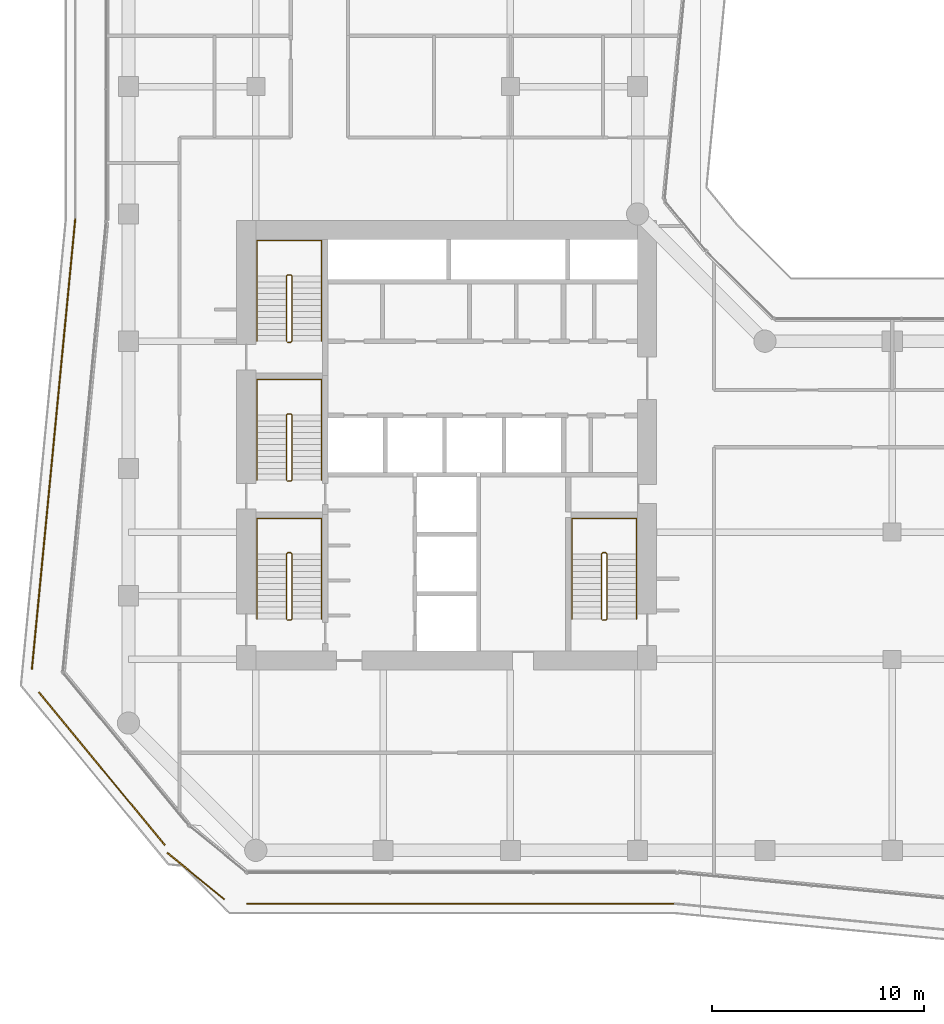
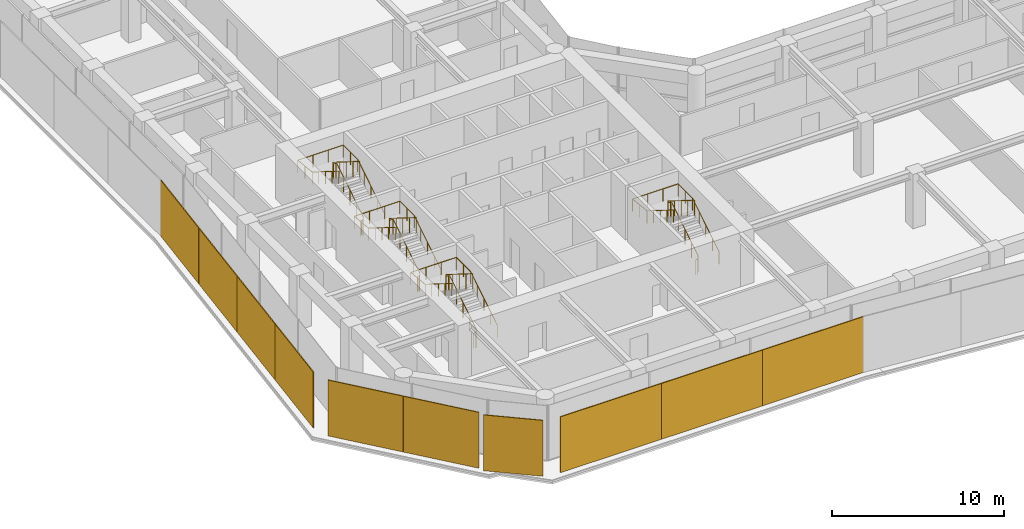
# One storey, part 30 of 31: 10 coverings, 8 railings.
"""IFC4 building model written with IfcOpenShell, lengths in metres."""

from ifc_helpers import new_model, si_unit, direction, frame, origin, origin_2d, place, context, subcontext, project, spatial, rectangle, circle, extrude, material, layer, layer_set, type_object, element, save


model = new_model("IFC4")

# Units and contexts
model_context = context("Model", 3, precision=1e-05, world=origin(), true_north=direction((0.0, 1.0)))
body_context = subcontext(model_context, "Body", "Model", "MODEL_VIEW")
ifc_project = project(units=[si_unit("LENGTHUNIT", "METRE"), si_unit("AREAUNIT", "SQUARE_METRE"), si_unit("VOLUMEUNIT", "CUBIC_METRE"), si_unit("PLANEANGLEUNIT", "RADIAN"), si_unit("MASSUNIT", "GRAM", prefix="KILO")], contexts=[model_context])

# Site, building, storey
site_placement = place(None, origin())
site = spatial("IfcSite", under=ifc_project, at=site_placement, CompositionType="ELEMENT")
building_placement = place(site_placement, origin())
building = spatial("IfcBuilding", under=site, at=building_placement, Name="Welwitschia Terrace Campus", CompositionType="ELEMENT")
storey_placement = place(building_placement, frame((0.0, 0.0, 29.0)))
storey = spatial("IfcBuildingStorey", under=building, at=storey_placement, Name="L06", CompositionType="ELEMENT", Elevation=29.0)

# Coverings
ifc_material_1 = material(Name="Bronze mesh aluminium screen", Category="aluminium")
ifc_layer = layer(ifc_material_1, 0.06005859375)
ifc_layer_set = layer_set([ifc_layer], Name="Bronze mesh aluminium screen")
covering_type = type_object("IfcCoveringType", Name="Bronze screen 60", PredefinedType="USERDEFINED", material=ifc_layer_set)
for number, where, z_axis, x_axis, name in (
    (1, (-2.76513671875, 23.12744140625, 0.0), (0.0, 0.0, 1.0), (-0.09584575252, -0.995396198367, 0.0), "Screen L06.0.0"),
    (2, (-3.277099609375, 17.811279296875, 0.0), (0.0, 0.0, 1.0), (-0.09584575252, -0.995396198367, 0.0), "Screen L06.0.1"),
    (3, (-3.7890625, 12.4951171875, 0.0), (0.0, 0.0, 1.0), (-0.09584575252, -0.995396198367, 0.0), "Screen L06.0.2"),
    (4, (-4.30078125, 7.17919921875, 0.0), (0.0, 0.0, 1.0), (-0.09584575252, -0.995396198367, 0.0), "Screen L06.0.3"),
):
    element("IfcCovering", number, at=place(storey_placement, frame(where, z_axis=z_axis, x_axis=x_axis)), inside=storey, type_object=covering_type, Name=name, ObjectType="SCREEN", PredefinedType="USERDEFINED", context=body_context, shape_type="SweptSolid", body=[
        extrude(rectangle(XDim=5.32080078125, YDim=0.06005859375, at=origin_2d()), origin(), (0.0, 0.0, 1.0), 3.949951171875),
    ])
for number, where, z_axis, x_axis, name in (
    (5, (-2.741943359375, 1.64794921875, 0.0), (0.0, 0.0, 1.0), (0.636078220278, -0.771624583388, 0.0), "Screen L06.1.0"),
    (6, (0.235595703125, -1.9638671875, 0.0), (0.0, 0.0, 1.0), (0.636078220278, -0.771624583388, 0.0), "Screen L06.1.1"),
):
    element("IfcCovering", number, at=place(storey_placement, frame(where, z_axis=z_axis, x_axis=x_axis)), inside=storey, type_object=covering_type, Name=name, ObjectType="SCREEN", PredefinedType="USERDEFINED", context=body_context, shape_type="SweptSolid", body=[
        extrude(rectangle(XDim=4.660888671875, YDim=0.06005859375, at=origin_2d()), origin(), (0.0, 0.0, 1.0), 3.949951171875),
    ])
covering_placement = place(storey_placement, frame((3.172119140625, -5.215576171875, 0.0), z_axis=(0.0, 0.0, 1.0), x_axis=(0.774476438381, -0.632602755599, 0.0)))
element("IfcCovering", 7, at=covering_placement, inside=storey, type_object=covering_type, Name="Screen L06.2.0", ObjectType="SCREEN", PredefinedType="USERDEFINED", context=body_context, shape_type="SweptSolid", body=[
    extrude(rectangle(XDim=3.482421875, YDim=0.06005859375, at=origin_2d()), origin(), (0.0, 0.0, 1.0), 3.949951171875),
])
for number, where, z_axis, x_axis, name in (
    (8, (8.944580078125, -6.51611328125, 0.0), (0.0, 0.0, 1.0), (1.0, 0.0, 0.0), "Screen L06.3.0"),
    (9, (15.71044921875, -6.51611328125, 0.0), (0.0, 0.0, 1.0), (1.0, 0.0, 0.0), "Screen L06.3.1"),
    (10, (22.476318359375, -6.51611328125, 0.0), (0.0, 0.0, 1.0), (1.0, 0.0, 0.0), "Screen L06.3.2"),
):
    element("IfcCovering", number, at=place(storey_placement, frame(where, z_axis=z_axis, x_axis=x_axis)), inside=storey, type_object=covering_type, Name=name, ObjectType="SCREEN", PredefinedType="USERDEFINED", context=body_context, shape_type="SweptSolid", body=[
        extrude(rectangle(XDim=6.745849609375, YDim=0.06005859375, at=origin_2d()), origin(), (0.0, 0.0, 1.0), 3.949951171875),
    ])

# Railings
ifc_material_2 = material(Name="Steel S355", Category="steel")
railing_type_1 = type_object("IfcRailingType", Name="Stair guard 1100", PredefinedType="GUARDRAIL", material=ifc_material_2)
railing_1_placement = place(storey_placement, frame((7.5, 6.85009765625, 0.0)))
element("IfcRailing", 11, at=railing_1_placement, inside=storey, type_object=railing_type_1, Name="L06 S1 stair guard", PredefinedType="GUARDRAIL", context=body_context, shape_type="SweptSolid", body=[
    extrude(circle(Radius=0.02392578125, at=origin_2d()), frame((0.0, 0.0, 1.076171875), z_axis=(1.0, 0.0, 0.0), x_axis=(0.0, 1.0, 0.0)), (0.0, 0.0, 1.0), 0.14990234375),
    extrude(circle(Radius=0.02392578125, at=origin_2d()), frame((0.14990234375, 0.0, 1.076171875), z_axis=(0.265155923931, 0.263862480399, 0.927399011991), x_axis=(-0.705375805398, 0.708833529934, 0.0)), (0.0, 0.0, 1.0), 0.188720703125),
    extrude(circle(Radius=0.02392578125, at=origin_2d()), frame((0.199951171875, 0.0498046875, 1.2509765625), z_axis=(0.0, 0.847998304005, 0.529998940003), x_axis=(-1.0, 0.0, 0.0)), (0.0, 0.0, 1.0), 3.632080078125),
    extrude(circle(Radius=0.02392578125, at=origin_2d()), frame((0.199951171875, 3.1298828125, 3.17626953125), z_axis=(-0.707106781187, 0.707106781187, 0.0), x_axis=(-0.707106781187, -0.707106781187, 0.0)), (0.0, 0.0, 1.0), 0.07080078125),
    extrude(circle(Radius=0.02392578125, at=origin_2d()), frame((0.14990234375, 3.179931640625, 3.17626953125), z_axis=(-1.0, 0.0, 0.0), x_axis=(0.0, -1.0, 0.0)), (0.0, 0.0, 1.0), 0.14990234375),
    extrude(circle(Radius=0.02392578125, at=origin_2d()), frame((0.0, 3.179931640625, 3.17626953125), z_axis=(-0.265383341853, -0.265383341853, 0.926899867156), x_axis=(0.707106781187, -0.707106781187, 0.0)), (0.0, 0.0, 1.0), 0.1884765625),
    extrude(circle(Radius=0.02392578125, at=origin_2d()), frame((-0.050048828125, 3.1298828125, 3.35107421875), z_axis=(0.0, -0.847998304005, 0.529998940003), x_axis=(1.0, 0.0, 0.0)), (0.0, 0.0, 1.0), 3.632080078125),
    extrude(circle(Radius=0.02099609375, at=origin_2d()), origin(), (0.0, 0.0, 1.0), 1.052001953125),
    extrude(circle(Radius=0.02099609375, at=origin_2d()), frame((0.14990234375, 0.0, 0.0)), (0.0, 0.0, 1.0), 1.052001953125),
    extrude(circle(Radius=0.02099609375, at=origin_2d()), frame((0.199951171875, 0.0498046875, 0.175048828125)), (0.0, 0.0, 1.0), 1.052001953125),
    extrude(circle(Radius=0.02099609375, at=origin_2d()), frame((0.199951171875, 0.81982421875, 0.65625)), (0.0, 0.0, 1.0), 1.052001953125),
    extrude(circle(Radius=0.02099609375, at=origin_2d()), frame((0.199951171875, 1.58984375, 1.1376953125)), (0.0, 0.0, 1.0), 1.052001953125),
    extrude(circle(Radius=0.02099609375, at=origin_2d()), frame((0.199951171875, 2.35986328125, 1.618896484375)), (0.0, 0.0, 1.0), 1.052001953125),
    extrude(circle(Radius=0.02099609375, at=origin_2d()), frame((0.199951171875, 3.1298828125, 2.10009765625)), (0.0, 0.0, 1.0), 1.052001953125),
    extrude(circle(Radius=0.02099609375, at=origin_2d()), frame((0.14990234375, 3.179931640625, 2.10009765625)), (0.0, 0.0, 1.0), 1.052001953125),
    extrude(circle(Radius=0.02099609375, at=origin_2d()), frame((0.0, 3.179931640625, 2.10009765625)), (0.0, 0.0, 1.0), 1.052001953125),
    extrude(circle(Radius=0.02099609375, at=origin_2d()), frame((-0.050048828125, 3.1298828125, 2.27490234375)), (0.0, 0.0, 1.0), 1.052001953125),
    extrude(circle(Radius=0.02099609375, at=origin_2d()), frame((-0.050048828125, 2.35986328125, 2.756103515625)), (0.0, 0.0, 1.0), 1.052001953125),
    extrude(circle(Radius=0.02099609375, at=origin_2d()), frame((-0.050048828125, 1.58984375, 3.2373046875)), (0.0, 0.0, 1.0), 1.052001953125),
    extrude(circle(Radius=0.02099609375, at=origin_2d()), frame((-0.050048828125, 0.81982421875, 3.71875)), (0.0, 0.0, 1.0), 1.052001953125),
    extrude(circle(Radius=0.02099609375, at=origin_2d()), frame((-0.050048828125, 0.0498046875, 4.199951171875)), (0.0, 0.0, 1.0), 1.052001953125),
])
railing_2_placement = place(storey_placement, frame((7.5, 13.39990234375, 0.0)))
element("IfcRailing", 12, at=railing_2_placement, inside=storey, type_object=railing_type_1, Name="L06 S3 stair guard", PredefinedType="GUARDRAIL", context=body_context, shape_type="SweptSolid", body=[
    extrude(circle(Radius=0.02392578125, at=origin_2d()), frame((0.0, 0.0, 1.076171875), z_axis=(1.0, 0.0, 0.0), x_axis=(0.0, 1.0, 0.0)), (0.0, 0.0, 1.0), 0.14990234375),
    extrude(circle(Radius=0.02392578125, at=origin_2d()), frame((0.14990234375, 0.0, 1.076171875), z_axis=(0.265065253269, 0.265065253269, 0.927081885822), x_axis=(-0.707106781187, 0.707106781187, 0.0)), (0.0, 0.0, 1.0), 0.188720703125),
    extrude(circle(Radius=0.02392578125, at=origin_2d()), frame((0.199951171875, 0.050048828125, 1.2509765625), z_axis=(0.0, 0.847998304005, 0.529998940003), x_axis=(-1.0, 0.0, 0.0)), (0.0, 0.0, 1.0), 3.632080078125),
    extrude(circle(Radius=0.02392578125, at=origin_2d()), frame((0.199951171875, 3.130126953125, 3.17626953125), z_axis=(-0.707106781187, 0.707106781187, 0.0), x_axis=(-0.707106781187, -0.707106781187, 0.0)), (0.0, 0.0, 1.0), 0.07080078125),
    extrude(circle(Radius=0.02392578125, at=origin_2d()), frame((0.14990234375, 3.18017578125, 3.17626953125), z_axis=(-1.0, 0.0, 0.0), x_axis=(0.0, -1.0, 0.0)), (0.0, 0.0, 1.0), 0.14990234375),
    extrude(circle(Radius=0.02392578125, at=origin_2d()), frame((0.0, 3.18017578125, 3.17626953125), z_axis=(-0.265383341853, -0.265383341853, 0.926899867156), x_axis=(0.707106781187, -0.707106781187, 0.0)), (0.0, 0.0, 1.0), 0.1884765625),
    extrude(circle(Radius=0.02392578125, at=origin_2d()), frame((-0.050048828125, 3.130126953125, 3.35107421875), z_axis=(0.0, -0.847998304005, 0.529998940003), x_axis=(1.0, 0.0, 0.0)), (0.0, 0.0, 1.0), 3.632080078125),
    extrude(circle(Radius=0.02099609375, at=origin_2d()), origin(), (0.0, 0.0, 1.0), 1.052001953125),
    extrude(circle(Radius=0.02099609375, at=origin_2d()), frame((0.14990234375, 0.0, 0.0)), (0.0, 0.0, 1.0), 1.052001953125),
    extrude(circle(Radius=0.02099609375, at=origin_2d()), frame((0.199951171875, 0.050048828125, 0.175048828125)), (0.0, 0.0, 1.0), 1.052001953125),
    extrude(circle(Radius=0.02099609375, at=origin_2d()), frame((0.199951171875, 0.820068359375, 0.65625)), (0.0, 0.0, 1.0), 1.052001953125),
    extrude(circle(Radius=0.02099609375, at=origin_2d()), frame((0.199951171875, 1.590087890625, 1.1376953125)), (0.0, 0.0, 1.0), 1.052001953125),
    extrude(circle(Radius=0.02099609375, at=origin_2d()), frame((0.199951171875, 2.360107421875, 1.618896484375)), (0.0, 0.0, 1.0), 1.052001953125),
    extrude(circle(Radius=0.02099609375, at=origin_2d()), frame((0.199951171875, 3.130126953125, 2.10009765625)), (0.0, 0.0, 1.0), 1.052001953125),
    extrude(circle(Radius=0.02099609375, at=origin_2d()), frame((0.14990234375, 3.18017578125, 2.10009765625)), (0.0, 0.0, 1.0), 1.052001953125),
    extrude(circle(Radius=0.02099609375, at=origin_2d()), frame((0.0, 3.18017578125, 2.10009765625)), (0.0, 0.0, 1.0), 1.052001953125),
    extrude(circle(Radius=0.02099609375, at=origin_2d()), frame((-0.050048828125, 3.130126953125, 2.27490234375)), (0.0, 0.0, 1.0), 1.052001953125),
    extrude(circle(Radius=0.02099609375, at=origin_2d()), frame((-0.050048828125, 2.360107421875, 2.756103515625)), (0.0, 0.0, 1.0), 1.052001953125),
    extrude(circle(Radius=0.02099609375, at=origin_2d()), frame((-0.050048828125, 1.590087890625, 3.2373046875)), (0.0, 0.0, 1.0), 1.052001953125),
    extrude(circle(Radius=0.02099609375, at=origin_2d()), frame((-0.050048828125, 0.820068359375, 3.71875)), (0.0, 0.0, 1.0), 1.052001953125),
    extrude(circle(Radius=0.02099609375, at=origin_2d()), frame((-0.050048828125, 0.050048828125, 4.199951171875)), (0.0, 0.0, 1.0), 1.052001953125),
])
railing_3_placement = place(storey_placement, frame((7.5, 19.949951171875, 0.0)))
element("IfcRailing", 13, at=railing_3_placement, inside=storey, type_object=railing_type_1, Name="L06 S4 stair guard", PredefinedType="GUARDRAIL", context=body_context, shape_type="SweptSolid", body=[
    extrude(circle(Radius=0.02392578125, at=origin_2d()), frame((0.0, 0.0, 1.076171875), z_axis=(1.0, 0.0, 0.0), x_axis=(0.0, 1.0, 0.0)), (0.0, 0.0, 1.0), 0.14990234375),
    extrude(circle(Radius=0.02392578125, at=origin_2d()), frame((0.14990234375, 0.0, 1.076171875), z_axis=(0.265065253269, 0.265065253269, 0.927081885822), x_axis=(-0.707106781187, 0.707106781187, 0.0)), (0.0, 0.0, 1.0), 0.188720703125),
    extrude(circle(Radius=0.02392578125, at=origin_2d()), frame((0.199951171875, 0.050048828125, 1.2509765625), z_axis=(0.0, 0.847998304005, 0.529998940003), x_axis=(-1.0, 0.0, 0.0)), (0.0, 0.0, 1.0), 3.632080078125),
    extrude(circle(Radius=0.02392578125, at=origin_2d()), frame((0.199951171875, 3.130126953125, 3.17626953125), z_axis=(-0.708833529934, 0.705375805398, 0.0), x_axis=(-0.705375805398, -0.708833529934, 0.0)), (0.0, 0.0, 1.0), 0.070556640625),
    extrude(circle(Radius=0.02392578125, at=origin_2d()), frame((0.14990234375, 3.179931640625, 3.17626953125), z_axis=(-1.0, 0.0, 0.0), x_axis=(0.0, -1.0, 0.0)), (0.0, 0.0, 1.0), 0.14990234375),
    extrude(circle(Radius=0.02392578125, at=origin_2d()), frame((0.0, 3.179931640625, 3.17626953125), z_axis=(-0.265474339444, -0.264179342666, 0.927217692888), x_axis=(0.705375805398, -0.708833529934, 0.0)), (0.0, 0.0, 1.0), 0.1884765625),
    extrude(circle(Radius=0.02392578125, at=origin_2d()), frame((-0.050048828125, 3.130126953125, 3.35107421875), z_axis=(0.0, -0.847998304005, 0.529998940003), x_axis=(1.0, 0.0, 0.0)), (0.0, 0.0, 1.0), 3.632080078125),
    extrude(circle(Radius=0.02099609375, at=origin_2d()), origin(), (0.0, 0.0, 1.0), 1.052001953125),
    extrude(circle(Radius=0.02099609375, at=origin_2d()), frame((0.14990234375, 0.0, 0.0)), (0.0, 0.0, 1.0), 1.052001953125),
    extrude(circle(Radius=0.02099609375, at=origin_2d()), frame((0.199951171875, 0.050048828125, 0.175048828125)), (0.0, 0.0, 1.0), 1.052001953125),
    extrude(circle(Radius=0.02099609375, at=origin_2d()), frame((0.199951171875, 0.820068359375, 0.65625)), (0.0, 0.0, 1.0), 1.052001953125),
    extrude(circle(Radius=0.02099609375, at=origin_2d()), frame((0.199951171875, 1.590087890625, 1.1376953125)), (0.0, 0.0, 1.0), 1.052001953125),
    extrude(circle(Radius=0.02099609375, at=origin_2d()), frame((0.199951171875, 2.360107421875, 1.618896484375)), (0.0, 0.0, 1.0), 1.052001953125),
    extrude(circle(Radius=0.02099609375, at=origin_2d()), frame((0.199951171875, 3.130126953125, 2.10009765625)), (0.0, 0.0, 1.0), 1.052001953125),
    extrude(circle(Radius=0.02099609375, at=origin_2d()), frame((0.14990234375, 3.179931640625, 2.10009765625)), (0.0, 0.0, 1.0), 1.052001953125),
    extrude(circle(Radius=0.02099609375, at=origin_2d()), frame((0.0, 3.179931640625, 2.10009765625)), (0.0, 0.0, 1.0), 1.052001953125),
    extrude(circle(Radius=0.02099609375, at=origin_2d()), frame((-0.050048828125, 3.130126953125, 2.27490234375)), (0.0, 0.0, 1.0), 1.052001953125),
    extrude(circle(Radius=0.02099609375, at=origin_2d()), frame((-0.050048828125, 2.360107421875, 2.756103515625)), (0.0, 0.0, 1.0), 1.052001953125),
    extrude(circle(Radius=0.02099609375, at=origin_2d()), frame((-0.050048828125, 1.590087890625, 3.2373046875)), (0.0, 0.0, 1.0), 1.052001953125),
    extrude(circle(Radius=0.02099609375, at=origin_2d()), frame((-0.050048828125, 0.820068359375, 3.71875)), (0.0, 0.0, 1.0), 1.052001953125),
    extrude(circle(Radius=0.02099609375, at=origin_2d()), frame((-0.050048828125, 0.050048828125, 4.199951171875)), (0.0, 0.0, 1.0), 1.052001953125),
])
railing_4_placement = place(storey_placement, frame((22.35009765625, 6.85009765625, 0.0)))
element("IfcRailing", 14, at=railing_4_placement, inside=storey, type_object=railing_type_1, Name="L06 S2 stair guard", PredefinedType="GUARDRAIL", context=body_context, shape_type="SweptSolid", body=[
    extrude(circle(Radius=0.02392578125, at=origin_2d()), frame((0.0, 0.0, 1.076171875), z_axis=(1.0, 0.0, 0.0), x_axis=(0.0, 1.0, 0.0)), (0.0, 0.0, 1.0), 0.14990234375),
    extrude(circle(Radius=0.02392578125, at=origin_2d()), frame((0.14990234375, 0.0, 1.076171875), z_axis=(0.265155923931, 0.263862480399, 0.927399011991), x_axis=(-0.705375805398, 0.708833529934, 0.0)), (0.0, 0.0, 1.0), 0.188720703125),
    extrude(circle(Radius=0.02392578125, at=origin_2d()), frame((0.199951171875, 0.0498046875, 1.2509765625), z_axis=(0.0, 0.847998304005, 0.529998940003), x_axis=(-1.0, 0.0, 0.0)), (0.0, 0.0, 1.0), 3.632080078125),
    extrude(circle(Radius=0.02392578125, at=origin_2d()), frame((0.199951171875, 3.1298828125, 3.17626953125), z_axis=(-0.707106781187, 0.707106781187, 0.0), x_axis=(-0.707106781187, -0.707106781187, 0.0)), (0.0, 0.0, 1.0), 0.07080078125),
    extrude(circle(Radius=0.02392578125, at=origin_2d()), frame((0.14990234375, 3.179931640625, 3.17626953125), z_axis=(-1.0, 0.0, 0.0), x_axis=(0.0, -1.0, 0.0)), (0.0, 0.0, 1.0), 0.14990234375),
    extrude(circle(Radius=0.02392578125, at=origin_2d()), frame((0.0, 3.179931640625, 3.17626953125), z_axis=(-0.265383341853, -0.265383341853, 0.926899867156), x_axis=(0.707106781187, -0.707106781187, 0.0)), (0.0, 0.0, 1.0), 0.1884765625),
    extrude(circle(Radius=0.02392578125, at=origin_2d()), frame((-0.050048828125, 3.1298828125, 3.35107421875), z_axis=(0.0, -0.847998304005, 0.529998940003), x_axis=(1.0, 0.0, 0.0)), (0.0, 0.0, 1.0), 3.632080078125),
    extrude(circle(Radius=0.02099609375, at=origin_2d()), origin(), (0.0, 0.0, 1.0), 1.052001953125),
    extrude(circle(Radius=0.02099609375, at=origin_2d()), frame((0.14990234375, 0.0, 0.0)), (0.0, 0.0, 1.0), 1.052001953125),
    extrude(circle(Radius=0.02099609375, at=origin_2d()), frame((0.199951171875, 0.0498046875, 0.175048828125)), (0.0, 0.0, 1.0), 1.052001953125),
    extrude(circle(Radius=0.02099609375, at=origin_2d()), frame((0.199951171875, 0.81982421875, 0.65625)), (0.0, 0.0, 1.0), 1.052001953125),
    extrude(circle(Radius=0.02099609375, at=origin_2d()), frame((0.199951171875, 1.58984375, 1.1376953125)), (0.0, 0.0, 1.0), 1.052001953125),
    extrude(circle(Radius=0.02099609375, at=origin_2d()), frame((0.199951171875, 2.35986328125, 1.618896484375)), (0.0, 0.0, 1.0), 1.052001953125),
    extrude(circle(Radius=0.02099609375, at=origin_2d()), frame((0.199951171875, 3.1298828125, 2.10009765625)), (0.0, 0.0, 1.0), 1.052001953125),
    extrude(circle(Radius=0.02099609375, at=origin_2d()), frame((0.14990234375, 3.179931640625, 2.10009765625)), (0.0, 0.0, 1.0), 1.052001953125),
    extrude(circle(Radius=0.02099609375, at=origin_2d()), frame((0.0, 3.179931640625, 2.10009765625)), (0.0, 0.0, 1.0), 1.052001953125),
    extrude(circle(Radius=0.02099609375, at=origin_2d()), frame((-0.050048828125, 3.1298828125, 2.27490234375)), (0.0, 0.0, 1.0), 1.052001953125),
    extrude(circle(Radius=0.02099609375, at=origin_2d()), frame((-0.050048828125, 2.35986328125, 2.756103515625)), (0.0, 0.0, 1.0), 1.052001953125),
    extrude(circle(Radius=0.02099609375, at=origin_2d()), frame((-0.050048828125, 1.58984375, 3.2373046875)), (0.0, 0.0, 1.0), 1.052001953125),
    extrude(circle(Radius=0.02099609375, at=origin_2d()), frame((-0.050048828125, 0.81982421875, 3.71875)), (0.0, 0.0, 1.0), 1.052001953125),
    extrude(circle(Radius=0.02099609375, at=origin_2d()), frame((-0.050048828125, 0.0498046875, 4.199951171875)), (0.0, 0.0, 1.0), 1.052001953125),
])
ifc_material_3 = material(Name="Steel S355", Category="steel")
railing_type_2 = type_object("IfcRailingType", Name="Stair handrail 900", PredefinedType="HANDRAIL", material=ifc_material_3)
railing_5_placement = place(storey_placement, frame((9.10009765625, 6.89990234375, 0.175048828125)))
element("IfcRailing", 15, at=railing_5_placement, inside=storey, type_object=railing_type_2, Name="L06 S1 stair handrail", PredefinedType="HANDRAIL", context=body_context, shape_type="SweptSolid", body=[
    extrude(circle(Radius=0.02392578125, at=origin_2d()), frame((0.0, 0.0, 0.8759765625), z_axis=(0.0, 0.847998304005, 0.529998940003), x_axis=(-1.0, 0.0, 0.0)), (0.0, 0.0, 1.0), 3.632080078125),
    extrude(circle(Radius=0.02392578125, at=origin_2d()), frame((0.0, 3.080078125, 2.80078125), z_axis=(0.0, 1.0, 0.0), x_axis=(-1.0, 0.0, 0.0)), (0.0, 0.0, 1.0), 1.669921875),
    extrude(circle(Radius=0.02392578125, at=origin_2d()), frame((0.0, 4.75, 2.80078125), z_axis=(-1.0, 0.0, 0.0), x_axis=(0.0, -1.0, 0.0)), (0.0, 0.0, 1.0), 3.050048828125),
    extrude(circle(Radius=0.02392578125, at=origin_2d()), frame((-3.050048828125, 4.75, 2.80078125), z_axis=(0.0, -0.994565838508, 0.104109523446), x_axis=(1.0, 0.0, 0.0)), (0.0, 0.0, 1.0), 1.678955078125),
    extrude(circle(Radius=0.02392578125, at=origin_2d()), frame((-3.050048828125, 3.080078125, 2.9755859375), z_axis=(0.0, -0.847998304005, 0.529998940003), x_axis=(1.0, 0.0, 0.0)), (0.0, 0.0, 1.0), 3.632080078125),
    extrude(circle(Radius=0.02099609375, at=origin_2d()), origin(), (0.0, 0.0, 1.0), 0.851806640625),
    extrude(circle(Radius=0.02099609375, at=origin_2d()), frame((0.0, 0.77001953125, 0.481201171875)), (0.0, 0.0, 1.0), 0.851806640625),
    extrude(circle(Radius=0.02099609375, at=origin_2d()), frame((0.0, 1.5400390625, 0.96240234375)), (0.0, 0.0, 1.0), 0.851806640625),
    extrude(circle(Radius=0.02099609375, at=origin_2d()), frame((0.0, 2.31005859375, 1.44384765625)), (0.0, 0.0, 1.0), 0.851806640625),
    extrude(circle(Radius=0.02099609375, at=origin_2d()), frame((0.0, 3.080078125, 1.925048828125)), (0.0, 0.0, 1.0), 0.851806640625),
    extrude(circle(Radius=0.02099609375, at=origin_2d()), frame((0.0, 3.9150390625, 1.925048828125)), (0.0, 0.0, 1.0), 0.851806640625),
    extrude(circle(Radius=0.02099609375, at=origin_2d()), frame((0.0, 4.75, 1.925048828125)), (0.0, 0.0, 1.0), 0.851806640625),
    extrude(circle(Radius=0.02099609375, at=origin_2d()), frame((-1.0166015625, 4.75, 1.925048828125)), (0.0, 0.0, 1.0), 0.851806640625),
    extrude(circle(Radius=0.02099609375, at=origin_2d()), frame((-2.033447265625, 4.75, 1.925048828125)), (0.0, 0.0, 1.0), 0.851806640625),
    extrude(circle(Radius=0.02099609375, at=origin_2d()), frame((-3.050048828125, 4.75, 1.925048828125)), (0.0, 0.0, 1.0), 0.851806640625),
    extrude(circle(Radius=0.02099609375, at=origin_2d()), frame((-3.050048828125, 3.9150390625, 2.012451171875)), (0.0, 0.0, 1.0), 0.851806640625),
    extrude(circle(Radius=0.02099609375, at=origin_2d()), frame((-3.050048828125, 3.080078125, 2.099853515625)), (0.0, 0.0, 1.0), 0.851806640625),
    extrude(circle(Radius=0.02099609375, at=origin_2d()), frame((-3.050048828125, 2.31005859375, 2.5810546875)), (0.0, 0.0, 1.0), 0.851806640625),
    extrude(circle(Radius=0.02099609375, at=origin_2d()), frame((-3.050048828125, 1.5400390625, 3.0625)), (0.0, 0.0, 1.0), 0.851806640625),
    extrude(circle(Radius=0.02099609375, at=origin_2d()), frame((-3.050048828125, 0.77001953125, 3.543701171875)), (0.0, 0.0, 1.0), 0.851806640625),
    extrude(circle(Radius=0.02099609375, at=origin_2d()), frame((-3.050048828125, 0.0, 4.02490234375)), (0.0, 0.0, 1.0), 0.851806640625),
])
railing_6_placement = place(storey_placement, frame((9.10009765625, 13.449951171875, 0.175048828125)))
element("IfcRailing", 16, at=railing_6_placement, inside=storey, type_object=railing_type_2, Name="L06 S3 stair handrail", PredefinedType="HANDRAIL", context=body_context, shape_type="SweptSolid", body=[
    extrude(circle(Radius=0.02392578125, at=origin_2d()), frame((0.0, 0.0, 0.8759765625), z_axis=(0.0, 0.847998304005, 0.529998940003), x_axis=(-1.0, 0.0, 0.0)), (0.0, 0.0, 1.0), 3.632080078125),
    extrude(circle(Radius=0.02392578125, at=origin_2d()), frame((0.0, 3.080078125, 2.80078125), z_axis=(0.0, 1.0, 0.0), x_axis=(-1.0, 0.0, 0.0)), (0.0, 0.0, 1.0), 1.669921875),
    extrude(circle(Radius=0.02392578125, at=origin_2d()), frame((0.0, 4.75, 2.80078125), z_axis=(-1.0, 0.0, 0.0), x_axis=(0.0, -1.0, 0.0)), (0.0, 0.0, 1.0), 3.050048828125),
    extrude(circle(Radius=0.02392578125, at=origin_2d()), frame((-3.050048828125, 4.75, 2.80078125), z_axis=(0.0, -0.994565838508, 0.104109523446), x_axis=(1.0, 0.0, 0.0)), (0.0, 0.0, 1.0), 1.678955078125),
    extrude(circle(Radius=0.02392578125, at=origin_2d()), frame((-3.050048828125, 3.080078125, 2.9755859375), z_axis=(0.0, -0.847998304005, 0.529998940003), x_axis=(1.0, 0.0, 0.0)), (0.0, 0.0, 1.0), 3.632080078125),
    extrude(circle(Radius=0.02099609375, at=origin_2d()), origin(), (0.0, 0.0, 1.0), 0.851806640625),
    extrude(circle(Radius=0.02099609375, at=origin_2d()), frame((0.0, 0.77001953125, 0.481201171875)), (0.0, 0.0, 1.0), 0.851806640625),
    extrude(circle(Radius=0.02099609375, at=origin_2d()), frame((0.0, 1.5400390625, 0.96240234375)), (0.0, 0.0, 1.0), 0.851806640625),
    extrude(circle(Radius=0.02099609375, at=origin_2d()), frame((0.0, 2.31005859375, 1.44384765625)), (0.0, 0.0, 1.0), 0.851806640625),
    extrude(circle(Radius=0.02099609375, at=origin_2d()), frame((0.0, 3.080078125, 1.925048828125)), (0.0, 0.0, 1.0), 0.851806640625),
    extrude(circle(Radius=0.02099609375, at=origin_2d()), frame((0.0, 3.9150390625, 1.925048828125)), (0.0, 0.0, 1.0), 0.851806640625),
    extrude(circle(Radius=0.02099609375, at=origin_2d()), frame((0.0, 4.75, 1.925048828125)), (0.0, 0.0, 1.0), 0.851806640625),
    extrude(circle(Radius=0.02099609375, at=origin_2d()), frame((-1.0166015625, 4.75, 1.925048828125)), (0.0, 0.0, 1.0), 0.851806640625),
    extrude(circle(Radius=0.02099609375, at=origin_2d()), frame((-2.033447265625, 4.75, 1.925048828125)), (0.0, 0.0, 1.0), 0.851806640625),
    extrude(circle(Radius=0.02099609375, at=origin_2d()), frame((-3.050048828125, 4.75, 1.925048828125)), (0.0, 0.0, 1.0), 0.851806640625),
    extrude(circle(Radius=0.02099609375, at=origin_2d()), frame((-3.050048828125, 3.9150390625, 2.012451171875)), (0.0, 0.0, 1.0), 0.851806640625),
    extrude(circle(Radius=0.02099609375, at=origin_2d()), frame((-3.050048828125, 3.080078125, 2.099853515625)), (0.0, 0.0, 1.0), 0.851806640625),
    extrude(circle(Radius=0.02099609375, at=origin_2d()), frame((-3.050048828125, 2.31005859375, 2.5810546875)), (0.0, 0.0, 1.0), 0.851806640625),
    extrude(circle(Radius=0.02099609375, at=origin_2d()), frame((-3.050048828125, 1.5400390625, 3.0625)), (0.0, 0.0, 1.0), 0.851806640625),
    extrude(circle(Radius=0.02099609375, at=origin_2d()), frame((-3.050048828125, 0.77001953125, 3.543701171875)), (0.0, 0.0, 1.0), 0.851806640625),
    extrude(circle(Radius=0.02099609375, at=origin_2d()), frame((-3.050048828125, 0.0, 4.02490234375)), (0.0, 0.0, 1.0), 0.851806640625),
])
railing_7_placement = place(storey_placement, frame((9.10009765625, 20.0, 0.175048828125)))
element("IfcRailing", 17, at=railing_7_placement, inside=storey, type_object=railing_type_2, Name="L06 S4 stair handrail", PredefinedType="HANDRAIL", context=body_context, shape_type="SweptSolid", body=[
    extrude(circle(Radius=0.02392578125, at=origin_2d()), frame((0.0, 0.0, 0.8759765625), z_axis=(0.0, 0.847998304005, 0.529998940003), x_axis=(-1.0, 0.0, 0.0)), (0.0, 0.0, 1.0), 3.632080078125),
    extrude(circle(Radius=0.02392578125, at=origin_2d()), frame((0.0, 3.080078125, 2.80078125), z_axis=(0.0, 1.0, 0.0), x_axis=(-1.0, 0.0, 0.0)), (0.0, 0.0, 1.0), 1.669921875),
    extrude(circle(Radius=0.02392578125, at=origin_2d()), frame((0.0, 4.75, 2.80078125), z_axis=(-1.0, 0.0, 0.0), x_axis=(0.0, -1.0, 0.0)), (0.0, 0.0, 1.0), 3.050048828125),
    extrude(circle(Radius=0.02392578125, at=origin_2d()), frame((-3.050048828125, 4.75, 2.80078125), z_axis=(0.0, -0.994565838508, 0.104109523446), x_axis=(1.0, 0.0, 0.0)), (0.0, 0.0, 1.0), 1.678955078125),
    extrude(circle(Radius=0.02392578125, at=origin_2d()), frame((-3.050048828125, 3.080078125, 2.9755859375), z_axis=(0.0, -0.847998304005, 0.529998940003), x_axis=(1.0, 0.0, 0.0)), (0.0, 0.0, 1.0), 3.632080078125),
    extrude(circle(Radius=0.02099609375, at=origin_2d()), origin(), (0.0, 0.0, 1.0), 0.851806640625),
    extrude(circle(Radius=0.02099609375, at=origin_2d()), frame((0.0, 0.77001953125, 0.481201171875)), (0.0, 0.0, 1.0), 0.851806640625),
    extrude(circle(Radius=0.02099609375, at=origin_2d()), frame((0.0, 1.5400390625, 0.96240234375)), (0.0, 0.0, 1.0), 0.851806640625),
    extrude(circle(Radius=0.02099609375, at=origin_2d()), frame((0.0, 2.31005859375, 1.44384765625)), (0.0, 0.0, 1.0), 0.851806640625),
    extrude(circle(Radius=0.02099609375, at=origin_2d()), frame((0.0, 3.080078125, 1.925048828125)), (0.0, 0.0, 1.0), 0.851806640625),
    extrude(circle(Radius=0.02099609375, at=origin_2d()), frame((0.0, 3.9150390625, 1.925048828125)), (0.0, 0.0, 1.0), 0.851806640625),
    extrude(circle(Radius=0.02099609375, at=origin_2d()), frame((0.0, 4.75, 1.925048828125)), (0.0, 0.0, 1.0), 0.851806640625),
    extrude(circle(Radius=0.02099609375, at=origin_2d()), frame((-1.0166015625, 4.75, 1.925048828125)), (0.0, 0.0, 1.0), 0.851806640625),
    extrude(circle(Radius=0.02099609375, at=origin_2d()), frame((-2.033447265625, 4.75, 1.925048828125)), (0.0, 0.0, 1.0), 0.851806640625),
    extrude(circle(Radius=0.02099609375, at=origin_2d()), frame((-3.050048828125, 4.75, 1.925048828125)), (0.0, 0.0, 1.0), 0.851806640625),
    extrude(circle(Radius=0.02099609375, at=origin_2d()), frame((-3.050048828125, 3.9150390625, 2.012451171875)), (0.0, 0.0, 1.0), 0.851806640625),
    extrude(circle(Radius=0.02099609375, at=origin_2d()), frame((-3.050048828125, 3.080078125, 2.099853515625)), (0.0, 0.0, 1.0), 0.851806640625),
    extrude(circle(Radius=0.02099609375, at=origin_2d()), frame((-3.050048828125, 2.31005859375, 2.5810546875)), (0.0, 0.0, 1.0), 0.851806640625),
    extrude(circle(Radius=0.02099609375, at=origin_2d()), frame((-3.050048828125, 1.5400390625, 3.0625)), (0.0, 0.0, 1.0), 0.851806640625),
    extrude(circle(Radius=0.02099609375, at=origin_2d()), frame((-3.050048828125, 0.77001953125, 3.543701171875)), (0.0, 0.0, 1.0), 0.851806640625),
    extrude(circle(Radius=0.02099609375, at=origin_2d()), frame((-3.050048828125, 0.0, 4.02490234375)), (0.0, 0.0, 1.0), 0.851806640625),
])
railing_8_placement = place(storey_placement, frame((23.949951171875, 6.89990234375, 0.175048828125)))
element("IfcRailing", 18, at=railing_8_placement, inside=storey, type_object=railing_type_2, Name="L06 S2 stair handrail", PredefinedType="HANDRAIL", context=body_context, shape_type="SweptSolid", body=[
    extrude(circle(Radius=0.02392578125, at=origin_2d()), frame((0.0, 0.0, 0.8759765625), z_axis=(0.0, 0.847998304005, 0.529998940003), x_axis=(-1.0, 0.0, 0.0)), (0.0, 0.0, 1.0), 3.632080078125),
    extrude(circle(Radius=0.02392578125, at=origin_2d()), frame((0.0, 3.080078125, 2.80078125), z_axis=(0.0, 1.0, 0.0), x_axis=(-1.0, 0.0, 0.0)), (0.0, 0.0, 1.0), 1.669921875),
    extrude(circle(Radius=0.02392578125, at=origin_2d()), frame((0.0, 4.75, 2.80078125), z_axis=(-1.0, 0.0, 0.0), x_axis=(0.0, -1.0, 0.0)), (0.0, 0.0, 1.0), 3.050048828125),
    extrude(circle(Radius=0.02392578125, at=origin_2d()), frame((-3.050048828125, 4.75, 2.80078125), z_axis=(0.0, -0.994565838508, 0.104109523446), x_axis=(1.0, 0.0, 0.0)), (0.0, 0.0, 1.0), 1.678955078125),
    extrude(circle(Radius=0.02392578125, at=origin_2d()), frame((-3.050048828125, 3.080078125, 2.9755859375), z_axis=(0.0, -0.847998304005, 0.529998940003), x_axis=(1.0, 0.0, 0.0)), (0.0, 0.0, 1.0), 3.632080078125),
    extrude(circle(Radius=0.02099609375, at=origin_2d()), origin(), (0.0, 0.0, 1.0), 0.851806640625),
    extrude(circle(Radius=0.02099609375, at=origin_2d()), frame((0.0, 0.77001953125, 0.481201171875)), (0.0, 0.0, 1.0), 0.851806640625),
    extrude(circle(Radius=0.02099609375, at=origin_2d()), frame((0.0, 1.5400390625, 0.96240234375)), (0.0, 0.0, 1.0), 0.851806640625),
    extrude(circle(Radius=0.02099609375, at=origin_2d()), frame((0.0, 2.31005859375, 1.44384765625)), (0.0, 0.0, 1.0), 0.851806640625),
    extrude(circle(Radius=0.02099609375, at=origin_2d()), frame((0.0, 3.080078125, 1.925048828125)), (0.0, 0.0, 1.0), 0.851806640625),
    extrude(circle(Radius=0.02099609375, at=origin_2d()), frame((0.0, 3.9150390625, 1.925048828125)), (0.0, 0.0, 1.0), 0.851806640625),
    extrude(circle(Radius=0.02099609375, at=origin_2d()), frame((0.0, 4.75, 1.925048828125)), (0.0, 0.0, 1.0), 0.851806640625),
    extrude(circle(Radius=0.02099609375, at=origin_2d()), frame((-1.0166015625, 4.75, 1.925048828125)), (0.0, 0.0, 1.0), 0.851806640625),
    extrude(circle(Radius=0.02099609375, at=origin_2d()), frame((-2.033447265625, 4.75, 1.925048828125)), (0.0, 0.0, 1.0), 0.851806640625),
    extrude(circle(Radius=0.02099609375, at=origin_2d()), frame((-3.050048828125, 4.75, 1.925048828125)), (0.0, 0.0, 1.0), 0.851806640625),
    extrude(circle(Radius=0.02099609375, at=origin_2d()), frame((-3.050048828125, 3.9150390625, 2.012451171875)), (0.0, 0.0, 1.0), 0.851806640625),
    extrude(circle(Radius=0.02099609375, at=origin_2d()), frame((-3.050048828125, 3.080078125, 2.099853515625)), (0.0, 0.0, 1.0), 0.851806640625),
    extrude(circle(Radius=0.02099609375, at=origin_2d()), frame((-3.050048828125, 2.31005859375, 2.5810546875)), (0.0, 0.0, 1.0), 0.851806640625),
    extrude(circle(Radius=0.02099609375, at=origin_2d()), frame((-3.050048828125, 1.5400390625, 3.0625)), (0.0, 0.0, 1.0), 0.851806640625),
    extrude(circle(Radius=0.02099609375, at=origin_2d()), frame((-3.050048828125, 0.77001953125, 3.543701171875)), (0.0, 0.0, 1.0), 0.851806640625),
    extrude(circle(Radius=0.02099609375, at=origin_2d()), frame((-3.050048828125, 0.0, 4.02490234375)), (0.0, 0.0, 1.0), 0.851806640625),
])

save(model, "model.ifc")
